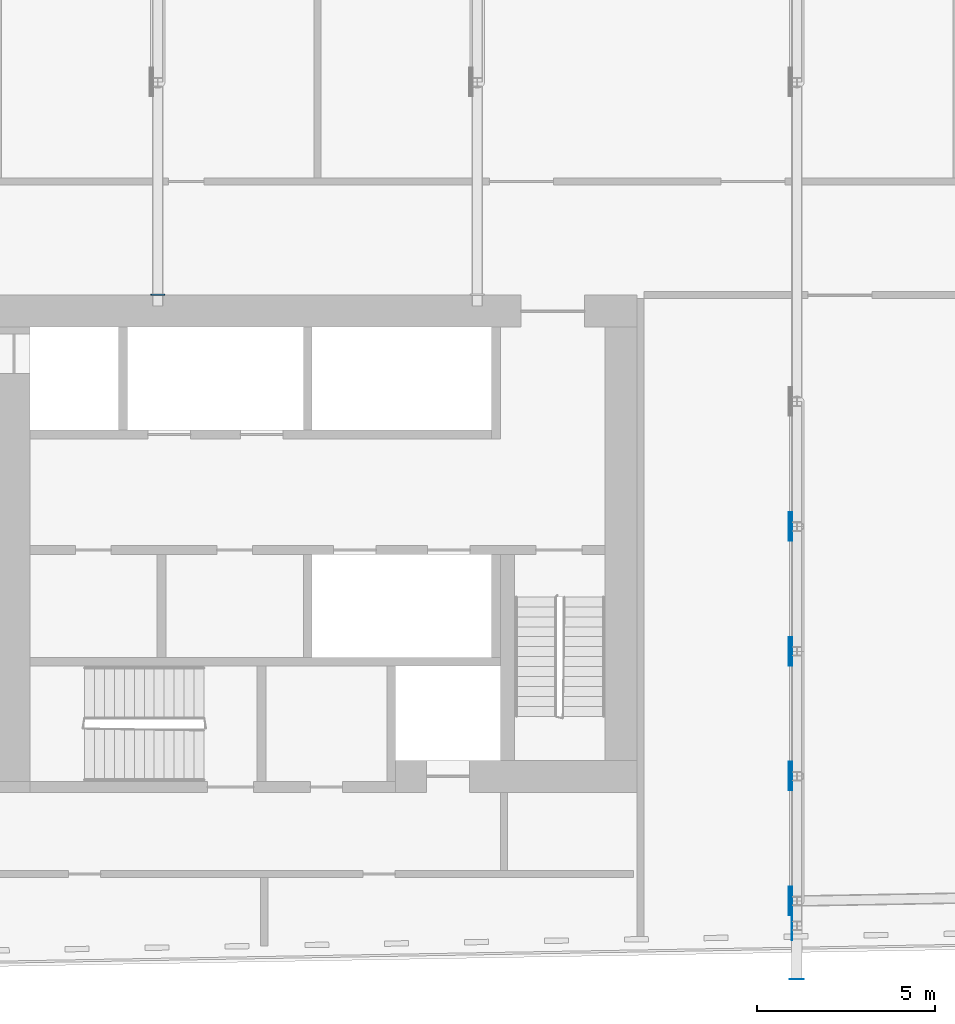
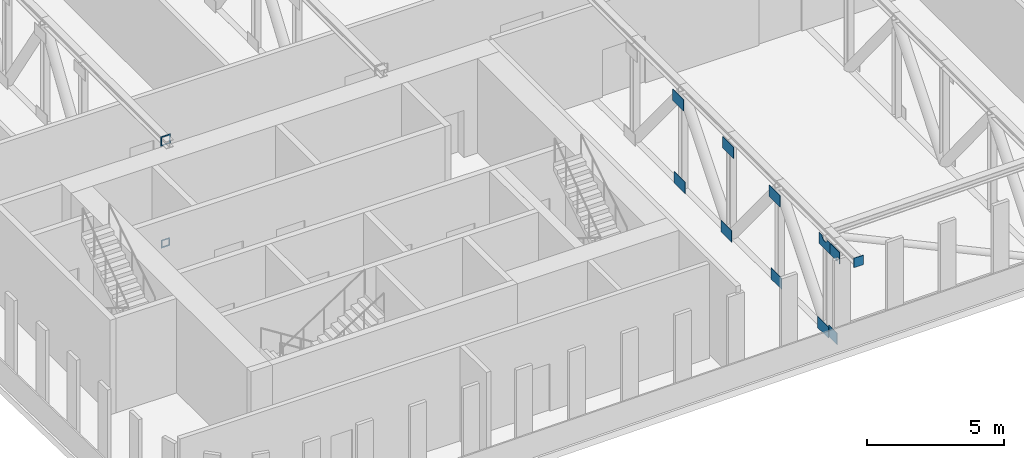
# One storey, part 14 of 26: 13 discrete accessories.
"""IFC4 building model written with IfcOpenShell, lengths in metres."""

import ifcopenshell
import ifcopenshell.guid

model = None  # the IFC model being written
_history = None  # IfcOwnerHistory: only IFC2X3 demands one
_inside = {}  # id of a spatial element -> (the spatial element, [elements in it])
_under = {}  # id of a project, library or spatial element -> (it, [spatial elements below it])
_declared = {}  # id of a project -> (the project, [libraries it declares])
_typed = {}  # id of a type object -> (the type object, [elements of that type])
_made_of = {}  # id of a material, layer set ... -> (it, [elements and type objects made of it])


def new_model(schema):
    """Start an empty IFC model of exactly this schema.

    Asked for "IFC4X3", IfcOpenShell would pick the latest addendum, in which some entities
    have other attributes; the version numbers below select the first issue.
    IFC2X3 requires an IfcOwnerHistory on every rooted entity: one is made here for all.
    """
    global model, _history
    if schema == "IFC4X3":
        model = ifcopenshell.file(schema_version=(4, 3, 0, 0))
    else:
        model = ifcopenshell.file(schema=schema)
    _inside.clear()
    _under.clear()
    _declared.clear()
    _typed.clear()
    _made_of.clear()
    _history = None
    if model.schema == "IFC2X3":
        org = make("IfcOrganization", Name="unknown")
        user = make(
            "IfcPersonAndOrganization",
            ThePerson=make("IfcPerson", FamilyName="unknown"),
            TheOrganization=org,
        )
        app = make(
            "IfcApplication",
            ApplicationDeveloper=org,
            Version="unknown",
            ApplicationFullName="unknown",
            ApplicationIdentifier="unknown",
        )
        _history = make(
            "IfcOwnerHistory",
            OwningUser=user,
            OwningApplication=app,
            ChangeAction="ADDED",
            CreationDate=0,
        )
    return model


def make(cls, **values):
    """One entity of the class cls with the attributes given. An attribute that is None is left unset."""
    return model.create_entity(
        cls, **{name: value for name, value in values.items() if value is not None}
    )


def rooted(cls, **values):
    """An entity with a GlobalId (a new one), such as an element, a storey or a relation."""
    return make(cls, GlobalId=ifcopenshell.guid.new(), OwnerHistory=_history, **values)


def si_unit(unit_type, name, prefix=None):
    """IfcSIUnit, for example si_unit("LENGTHUNIT", "METRE", prefix="MILLI")."""
    return make("IfcSIUnit", UnitType=unit_type, Prefix=prefix, Name=name)


def assignment(units):
    """IfcUnitAssignment: the units of a project."""
    return None if units is None else make("IfcUnitAssignment", Units=units)


def point(xyz):
    """IfcCartesianPoint."""
    return None if xyz is None else make("IfcCartesianPoint", Coordinates=xyz)


def direction(xyz):
    """IfcDirection."""
    return None if xyz is None else make("IfcDirection", DirectionRatios=xyz)


def frame(location, z_axis=None, x_axis=None):
    """IfcAxis2Placement3D, a coordinate frame: its origin and axes. An axis left out is left unset."""
    return make(
        "IfcAxis2Placement3D",
        Location=point(location),
        Axis=direction(z_axis),
        RefDirection=direction(x_axis),
    )


def origin():
    """The frame at (0, 0, 0) with its axes left unset."""
    return frame((0.0, 0.0, 0.0))


def place(relative_to, where):
    """IfcLocalPlacement: puts the frame where relative to a parent placement (None: the world)."""
    return make(
        "IfcLocalPlacement", PlacementRelTo=relative_to, RelativePlacement=where
    )


def context(
    kind, dimensions, precision=None, world=None, true_north=None, identifier=None
):
    """IfcGeometricRepresentationContext, for example the 3D "Model" context."""
    return make(
        "IfcGeometricRepresentationContext",
        ContextIdentifier=identifier,
        ContextType=kind,
        CoordinateSpaceDimension=dimensions,
        Precision=precision,
        WorldCoordinateSystem=world,
        TrueNorth=true_north,
    )


def subcontext(parent, identifier, kind, view, scale=None):
    """IfcGeometricRepresentationSubContext, for example "Body" below "Model"."""
    return make(
        "IfcGeometricRepresentationSubContext",
        ContextIdentifier=identifier,
        ContextType=kind,
        ParentContext=parent,
        TargetScale=scale,
        TargetView=view,
    )


def project(units=None, contexts=None):
    """IfcProject with its units and contexts."""
    return rooted(
        "IfcProject",
        Name="project",
        RepresentationContexts=contexts,
        UnitsInContext=assignment(units),
    )


def spatial(cls, under=None, at=None, **own):
    """A site, building, storey or space (cls), placed at a placement, below another one or the project."""
    s = rooted(cls, ObjectPlacement=at, **own)
    if under is not None:
        _under.setdefault(under.id(), (under, []))[1].append(s)
    return s


def polyline(points):
    """IfcPolyline through the points."""
    return make("IfcPolyline", Points=[point(p) for p in points])


def outline(outer, holes=None, kind="AREA"):
    """IfcArbitraryClosedProfileDef: a profile drawn as a closed curve; with holes, ...WithVoids."""
    if holes is None:
        return make("IfcArbitraryClosedProfileDef", ProfileType=kind, OuterCurve=outer)
    return make(
        "IfcArbitraryProfileDefWithVoids",
        ProfileType=kind,
        OuterCurve=outer,
        InnerCurves=holes,
    )


def extrude(swept, where, along, depth):
    """IfcExtrudedAreaSolid: the profile swept, set in the frame where, extruded along a direction by depth."""
    return make(
        "IfcExtrudedAreaSolid",
        SweptArea=swept,
        Position=where,
        ExtrudedDirection=direction(along),
        Depth=depth,
    )


def shape(context_of_items, identifier, shape_type, items):
    """IfcShapeRepresentation: the items that make up one representation, for example the "Body"."""
    return make(
        "IfcShapeRepresentation",
        ContextOfItems=context_of_items,
        RepresentationIdentifier=identifier,
        RepresentationType=shape_type,
        Items=items,
    )


def material(Name=None, Category=None):
    """IfcMaterial."""
    return make("IfcMaterial", Name=Name, Category=Category)


def layer(
    of_material, thickness, ventilated=None, Name=None, Category=None, Priority=None
):
    """IfcMaterialLayer: one layer of a wall or slab, of a material (None: an air gap)."""
    return make(
        "IfcMaterialLayer",
        Material=of_material,
        LayerThickness=thickness,
        IsVentilated=ventilated,
        Name=Name,
        Category=Category,
        Priority=Priority,
    )


def layer_set(layers, Name=None):
    """IfcMaterialLayerSet."""
    return make("IfcMaterialLayerSet", MaterialLayers=layers, LayerSetName=Name)


def made_of(thing, what):
    """Note that an element or type object is made of a material, layer set ...; save() writes the relation."""
    if what is not None:
        _made_of.setdefault(what.id(), (what, []))[1].append(thing)
    return thing


def type_object(cls, material=None, **own):
    """A type object (cls), such as IfcWallType, which elements share."""
    return made_of(rooted(cls, **own), material)


def element(
    cls,
    number,
    at=None,
    inside=None,
    cuts=None,
    type_object=None,
    material=None,
    context=None,
    identifier="Body",
    shape_type=None,
    held_by="IfcProductDefinitionShape",
    body=None,
    shapes=None,
    **own,
):
    """One element of the class cls, such as IfcWall. Its Tag is "e" and its number.

    at: its placement. inside: the storey or other place that contains it. cuts: it is an
    opening in that element (IfcRelVoidsElement). A single representation is given by context,
    identifier, shape_type and body (its items); several are given by shapes. held_by: the class
    of the entity that holds the representations. save() writes the other relations.
    """
    e = rooted(cls, Tag="e%d" % number, ObjectPlacement=at, **own)
    if body is not None:
        shapes = [shape(context, identifier, shape_type, body)]
    if shapes is not None:
        e.Representation = make(held_by, Representations=shapes)
    if inside is not None:
        _inside.setdefault(inside.id(), (inside, []))[1].append(e)
    if cuts is not None:
        rooted(
            "IfcRelVoidsElement", RelatingBuildingElement=cuts, RelatedOpeningElement=e
        )
    if type_object is not None:
        _typed.setdefault(type_object.id(), (type_object, []))[1].append(e)
    return made_of(e, material)


def aggregate(whole, parts):
    """IfcRelAggregates: a whole, such as a stair, and the parts it consists of."""
    return rooted("IfcRelAggregates", RelatingObject=whole, RelatedObjects=parts)


def save(model, path):
    """Write the relations noted so far, then the file.

    IfcRelAggregates (storeys below a building ...), IfcRelContainedInSpatialStructure (elements
    in a storey), IfcRelDefinesByType, IfcRelAssociatesMaterial and IfcRelDeclares: one each for
    every whole, place, type object, material and project.
    """
    for whole, parts in _under.values():
        aggregate(whole, parts)
    for where, things in _inside.values():
        rooted(
            "IfcRelContainedInSpatialStructure",
            RelatedElements=things,
            RelatingStructure=where,
        )
    for kind, things in _typed.values():
        rooted("IfcRelDefinesByType", RelatedObjects=things, RelatingType=kind)
    for what, things in _made_of.values():
        rooted("IfcRelAssociatesMaterial", RelatedObjects=things, RelatingMaterial=what)
    for by, libraries in _declared.values():
        rooted("IfcRelDeclares", RelatingContext=by, RelatedDefinitions=libraries)
    model.write(path)


model = new_model("IFC4")

# Units and contexts
model_context = context("Model", 3, precision=1e-05, world=origin(), true_north=direction((0.0, 1.0)))
body_context = subcontext(model_context, "Body", "Model", "MODEL_VIEW")
ifc_project = project(units=[si_unit("LENGTHUNIT", "METRE"), si_unit("AREAUNIT", "SQUARE_METRE"), si_unit("VOLUMEUNIT", "CUBIC_METRE"), si_unit("PLANEANGLEUNIT", "RADIAN"), si_unit("MASSUNIT", "GRAM", prefix="KILO")], contexts=[model_context])

# Site, building, storey
site_placement = place(None, origin())
site = spatial("IfcSite", under=ifc_project, at=site_placement, CompositionType="ELEMENT")
building_placement = place(site_placement, origin())
building = spatial("IfcBuilding", under=site, at=building_placement, Name="Kajstack Hotel Tower", CompositionType="ELEMENT")
storey_placement = place(building_placement, frame((0.0, 0.0, 257.300048828125)))
storey = spatial("IfcBuildingStorey", under=building, at=storey_placement, Name="L64", CompositionType="ELEMENT", Elevation=257.300048828125)

# Discrete accessories
ifc_material = material(Name="Steel S355J2", Category="steel")
ifc_layer_1 = layer(ifc_material, 0.02490234375)
ifc_layer_set_1 = layer_set([ifc_layer_1], Name="CAST-IN PLATE")
discrete_accessory_type_1 = type_object("IfcDiscreteAccessoryType", Name="CAST-IN PLATE", PredefinedType="BRACKET", material=ifc_layer_set_1)
discrete_accessory_1_placement = place(storey_placement, frame((-27.0, -1.5, -0.130126953125), z_axis=(0.0, 1.0, 0.0), x_axis=(-1.0, 0.0, 0.0)))
element("IfcDiscreteAccessory", 1, at=discrete_accessory_1_placement, inside=storey, type_object=discrete_accessory_type_1, Name="Cast-in plate L64-029", PredefinedType="BRACKET", context=body_context, shape_type="SweptSolid", body=[
    extrude(outline(polyline([(-0.179931640625, -0.179931640625), (0.179931640625, -0.179931640625), (0.179931640625, 0.179931640625), (-0.179931640625, 0.179931640625), (-0.179931640625, -0.179931640625)]), holes=[polyline([(-0.1298828125, -0.1298828125), (-0.1298828125, 0.1298828125), (0.1298828125, 0.1298828125), (0.1298828125, -0.1298828125), (-0.1298828125, -0.1298828125)])]), origin(), (0.0, 0.0, 1.0), 0.02490234375),
])
discrete_accessory_2_placement = place(storey_placement, frame((-27.0, -1.5, 4.43994140625), z_axis=(0.0, 1.0, 0.0), x_axis=(-1.0, 0.0, 0.0)))
element("IfcDiscreteAccessory", 2, at=discrete_accessory_2_placement, inside=storey, type_object=discrete_accessory_type_1, Name="Cast-in plate L64-030", PredefinedType="BRACKET", context=body_context, shape_type="SweptSolid", body=[
    extrude(outline(polyline([(-0.199951171875, -0.2099609375), (0.199951171875, -0.2099609375), (0.199951171875, 0.2099609375), (-0.199951171875, 0.2099609375), (-0.199951171875, -0.2099609375)]), holes=[polyline([(-0.14990234375, -0.159912109375), (-0.14990234375, 0.159912109375), (0.14990234375, 0.159912109375), (0.14990234375, -0.159912109375), (-0.14990234375, -0.159912109375)])]), origin(), (0.0, 0.0, 1.0), 0.02490234375),
])
ifc_layer_2 = layer(ifc_material, 0.02490234375)
ifc_layer_set_2 = layer_set([ifc_layer_2], Name="END PLATE")
discrete_accessory_type_2 = type_object("IfcDiscreteAccessoryType", Name="END PLATE", PredefinedType="BRACKET", material=ifc_layer_set_2)
discrete_accessory_3_placement = place(storey_placement, frame((-9.0, -20.78759765625, 4.43994140625), z_axis=(0.0, 1.0, 0.0), x_axis=(-1.0, 0.0, 0.0)))
element("IfcDiscreteAccessory", 3, at=discrete_accessory_3_placement, inside=storey, type_object=discrete_accessory_type_2, Name="End plate L64-006", PredefinedType="BRACKET", context=body_context, shape_type="SweptSolid", body=[
    extrude(outline(polyline([(-0.199951171875, -0.2099609375), (0.199951171875, -0.2099609375), (0.199951171875, 0.2099609375), (-0.199951171875, 0.2099609375), (-0.199951171875, -0.2099609375)])), origin(), (0.0, 0.0, 1.0), 0.02490234375),
])
ifc_layer_3 = layer(ifc_material, 0.02001953125)
ifc_layer_set_3 = layer_set([ifc_layer_3], Name="GUSSET PLATE")
discrete_accessory_type_3 = type_object("IfcDiscreteAccessoryType", Name="GUSSET PLATE", PredefinedType="BRACKET", material=ifc_layer_set_3)
discrete_accessory_4_placement = place(storey_placement, frame((-9.14990234375, -19.262451171875, 0.0), z_axis=(1.0, 0.0, 0.0), x_axis=(0.0, 1.0, 0.0)))
element("IfcDiscreteAccessory", 4, at=discrete_accessory_4_placement, inside=storey, type_object=discrete_accessory_type_3, Name="Gusset plate L64-665", PredefinedType="BRACKET", context=body_context, shape_type="SweptSolid", body=[
    extrude(outline(polyline([(0.39990234375, 0.5), (-0.222412109375, 0.5), (-0.222412109375, 0.0), (0.39990234375, 0.0), (0.39990234375, 0.5)])), origin(), (0.0, 0.0, 1.0), 0.02001953125),
])
discrete_accessory_5_placement = place(storey_placement, frame((-9.14990234375, -19.262451171875, 3.699951171875), z_axis=(1.0, 0.0, 0.0), x_axis=(0.0, 1.0, 0.0)))
element("IfcDiscreteAccessory", 5, at=discrete_accessory_5_placement, inside=storey, type_object=discrete_accessory_type_3, Name="Gusset plate L64-666", PredefinedType="BRACKET", context=body_context, shape_type="SweptSolid", body=[
    extrude(outline(polyline([(-0.39990234375, 0.0), (-0.382568359375, 0.0), (-0.382568359375, 0.205078125), (-0.222412109375, 0.205078125), (-0.222412109375, 0.0), (0.39990234375, 0.0), (0.39990234375, 0.5), (-0.39990234375, 0.5), (-0.39990234375, 0.0)])), origin(), (0.0, 0.0, 1.0), 0.02001953125),
])
discrete_accessory_6_placement = place(storey_placement, frame((-9.22314453125, -18.5625, 0.0), z_axis=(1.0, 0.0, 0.0), x_axis=(0.0, 1.0, 0.0)))
element("IfcDiscreteAccessory", 6, at=discrete_accessory_6_placement, inside=storey, type_object=discrete_accessory_type_3, Name="Gusset plate L64-667", PredefinedType="BRACKET", context=body_context, shape_type="SweptSolid", body=[
    extrude(outline(polyline([(-0.39990234375, 0.0), (0.39990234375, 0.0), (0.39990234375, 0.5), (-0.39990234375, 0.5), (-0.39990234375, 0.0)])), origin(), (0.0, 0.0, 1.0), 0.02001953125),
])
discrete_accessory_7_placement = place(storey_placement, frame((-9.14990234375, -18.5625, 3.699951171875), z_axis=(1.0, 0.0, 0.0), x_axis=(0.0, 1.0, 0.0)))
element("IfcDiscreteAccessory", 7, at=discrete_accessory_7_placement, inside=storey, type_object=discrete_accessory_type_3, Name="Gusset plate L64-668", PredefinedType="BRACKET", context=body_context, shape_type="SweptSolid", body=[
    extrude(outline(polyline([(0.39990234375, 0.5), (0.19921875, 0.5), (0.191650390625, 0.4736328125), (0.174072265625, 0.43798828125), (0.162841796875, 0.42138671875), (0.1357421875, 0.392333984375), (0.103515625, 0.368896484375), (0.0673828125, 0.3525390625), (0.048095703125, 0.346923828125), (0.0087890625, 0.341552734375), (-0.01123046875, 0.341796875), (-0.050537109375, 0.34814453125), (-0.087890625, 0.362060546875), (-0.12158203125, 0.3828125), (-0.15087890625, 0.409912109375), (-0.174072265625, 0.442138671875), (-0.190673828125, 0.478515625), (-0.19677734375, 0.5), (-0.39990234375, 0.5), (-0.39990234375, 0.0), (0.39990234375, 0.0), (0.39990234375, 0.5)])), origin(), (0.0, 0.0, 1.0), 0.02001953125),
])
for number, where, z_axis, x_axis, name in (
    (8, (-9.14990234375, -15.046875, 0.0), (1.0, 0.0, 0.0), (0.0, 1.0, 0.0), "Gusset plate L64-669"),
    (9, (-9.22314453125, -15.046875, 3.699951171875), (1.0, 0.0, 0.0), (0.0, 1.0, 0.0), "Gusset plate L64-670"),
    (10, (-9.22314453125, -11.53125, 0.0), (1.0, 0.0, 0.0), (0.0, 1.0, 0.0), "Gusset plate L64-671"),
    (11, (-9.14990234375, -11.53125, 3.699951171875), (1.0, 0.0, 0.0), (0.0, 1.0, 0.0), "Gusset plate L64-672"),
    (12, (-9.14990234375, -8.015625, 0.0), (1.0, 0.0, 0.0), (0.0, 1.0, 0.0), "Gusset plate L64-673"),
    (13, (-9.22314453125, -8.015625, 3.699951171875), (1.0, 0.0, 0.0), (0.0, 1.0, 0.0), "Gusset plate L64-674"),
):
    element("IfcDiscreteAccessory", number, at=place(storey_placement, frame(where, z_axis=z_axis, x_axis=x_axis)), inside=storey, type_object=discrete_accessory_type_3, Name=name, PredefinedType="BRACKET", context=body_context, shape_type="SweptSolid", body=[
        extrude(outline(polyline([(-0.39990234375, 0.0), (0.39990234375, 0.0), (0.39990234375, 0.5), (-0.39990234375, 0.5), (-0.39990234375, 0.0)])), origin(), (0.0, 0.0, 1.0), 0.02001953125),
    ])

save(model, "model.ifc")
